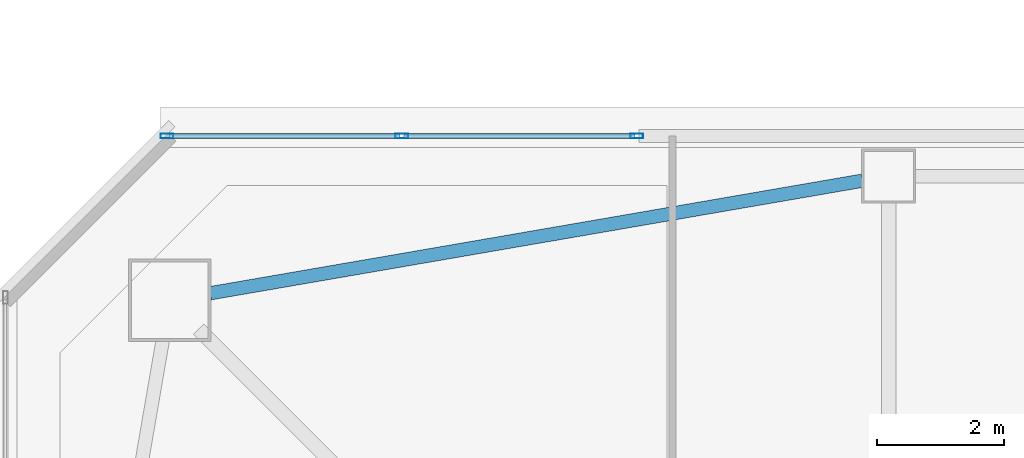
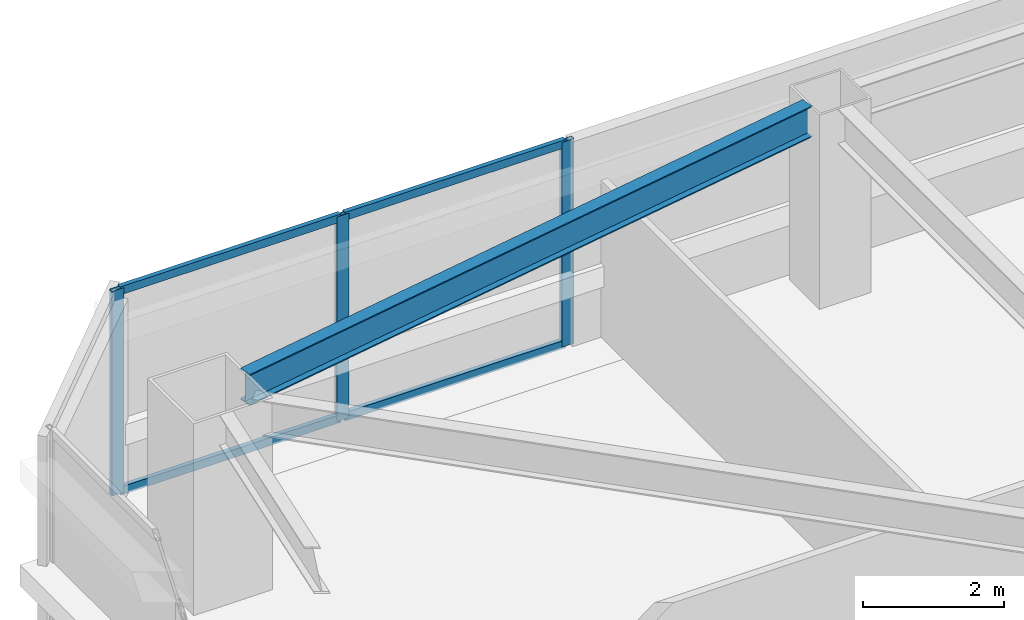
# One storey, part 14 of 48: 7 members, 1 beam, 1 element without a shape of its own.
"""IFC4 building model written with IfcOpenShell, lengths in metres."""

from ifc_helpers import new_model, si_unit, direction, frame, origin, origin_2d, place, context, subcontext, project, spatial, hollow_rectangle, i_section, extrude, material, material_profile, profile_set, type_object, element, aggregate, save


model = new_model("IFC4")

# Units and contexts
model_context = context("Model", 3, precision=1e-05, world=origin(), true_north=direction((0.0, 1.0)))
body_context = subcontext(model_context, "Body", "Model", "MODEL_VIEW")
ifc_project = project(units=[si_unit("LENGTHUNIT", "METRE"), si_unit("AREAUNIT", "SQUARE_METRE"), si_unit("VOLUMEUNIT", "CUBIC_METRE"), si_unit("PLANEANGLEUNIT", "RADIAN"), si_unit("MASSUNIT", "GRAM", prefix="KILO")], contexts=[model_context])

# Site, building, storey
site_placement = place(None, origin())
site = spatial("IfcSite", under=ifc_project, at=site_placement, CompositionType="ELEMENT")
building_placement = place(site_placement, origin())
building = spatial("IfcBuilding", under=site, at=building_placement, Name="Tashvorn Skyway Center", CompositionType="ELEMENT")
storey_placement = place(building_placement, frame((0.0, 0.0, 125.050048828125)))
storey = spatial("IfcBuildingStorey", under=building, at=storey_placement, Name="L33", CompositionType="ELEMENT", Elevation=125.050048828125)

# Beam
ifc_material_1 = material(Name="Steel ASTM A992 Grade 50", Category="steel")
ifc_material_profile_1 = material_profile(ifc_material_1, i_section(OverallWidth=0.2109375, OverallDepth=0.5390625, WebThickness=0.01171875, FlangeThickness=0.018798828125, at=origin_2d()), Name="W21X73")
ifc_profile_set_1 = profile_set([ifc_material_profile_1], Name="Steel ASTM A992 Grade 50")
beam_type = type_object("IfcBeamType", Name="BM-SPANDREL-W21X73", PredefinedType="SPANDREL", material=ifc_profile_set_1)
beam_placement = place(storey_placement, frame((36.18603515625, 50.57861328125, 3.100341796875), z_axis=(-0.985432458462, -0.170067250846, 0.0), x_axis=(0.170067250846, -0.985432458462, 0.0)))
element("IfcBeam", 1, at=beam_placement, inside=storey, type_object=beam_type, Name="Tower 1 L33 Spandrel Beam 09", PredefinedType="SPANDREL", context=body_context, shape_type="SweptSolid", body=[
    extrude(i_section(OverallWidth=0.2109375, OverallDepth=0.5390625, WebThickness=0.01171875, FlangeThickness=0.018798828125, at=origin_2d()), origin(), (0.0, 0.0, 1.0), 10.402099609375),
])

# Curtain wall, members
ifc_material_2 = material(Name="Thermally broken bronze-anodized aluminium 6063-T6", Category="aluminium")
curtain_wall_type = type_object("IfcCurtainWallType", Name="CW-CW-Z3", PredefinedType="NOTDEFINED", material=ifc_material_2)
curtain_wall_placement = place(storey_placement, origin())
curtain_wall = element("IfcCurtainWall", 2, at=curtain_wall_placement, inside=storey, type_object=curtain_wall_type, Name="Tower 1 L33 North Unitised Curtain Wall Glazing Group 1", PredefinedType="NOTDEFINED")
ifc_material_profile_2 = material_profile(ifc_material_2, hollow_rectangle(XDim=0.074951171875, YDim=0.199951171875, WallThickness=0.00439453125, at=origin_2d()), Name="ALU-MULL-75x200")
ifc_profile_set_2 = profile_set([ifc_material_profile_2], Name="Thermally broken bronze-anodized aluminium 6063-T6")
member_type_1 = type_object("IfcMemberType", Name="CWM-CW-Z3", PredefinedType="MULLION", material=ifc_profile_set_2)
member_1_placement = place(storey_placement, frame((25.257568359375, 51.280029296875, 0.0), z_axis=(0.0, 0.0, 1.0), x_axis=(0.0, 1.0, 0.0)))
member_1 = element("IfcMember", 3, at=member_1_placement, type_object=member_type_1, Name="CW-Z3 mullion 1", PredefinedType="MULLION", context=body_context, shape_type="SweptSolid", body=[
    extrude(hollow_rectangle(XDim=0.074951171875, YDim=0.199951171875, WallThickness=0.00439453125, at=origin_2d()), origin(), (0.0, 0.0, 1.0), 3.550048828125),
])
member_2_placement = place(storey_placement, frame((28.948974609375, 51.280029296875, 0.0), z_axis=(0.0, 0.0, 1.0), x_axis=(0.0, 1.0, 0.0)))
member_2 = element("IfcMember", 4, at=member_2_placement, type_object=member_type_1, Name="CW-Z3 mullion 2", PredefinedType="MULLION", context=body_context, shape_type="SweptSolid", body=[
    extrude(hollow_rectangle(XDim=0.074951171875, YDim=0.199951171875, WallThickness=0.00439453125, at=origin_2d()), origin(), (0.0, 0.0, 1.0), 3.550048828125),
])
member_3_placement = place(storey_placement, frame((32.640380859375, 51.280029296875, 0.0), z_axis=(0.0, 0.0, 1.0), x_axis=(0.0, 1.0, 0.0)))
member_3 = element("IfcMember", 5, at=member_3_placement, type_object=member_type_1, Name="CW-Z3 mullion 3", PredefinedType="MULLION", context=body_context, shape_type="SweptSolid", body=[
    extrude(hollow_rectangle(XDim=0.074951171875, YDim=0.199951171875, WallThickness=0.00439453125, at=origin_2d()), origin(), (0.0, 0.0, 1.0), 3.550048828125),
])
ifc_material_profile_3 = material_profile(ifc_material_2, hollow_rectangle(XDim=0.074951171875, YDim=0.139892578125, WallThickness=0.004150390625, at=origin_2d()), Name="ALU-TRAN-75x140")
ifc_profile_set_3 = profile_set([ifc_material_profile_3], Name="Thermally broken bronze-anodized aluminium 6063-T6")
member_type_2 = type_object("IfcMemberType", Name="CWT-CW-Z3", PredefinedType="USERDEFINED", material=ifc_profile_set_3)
member_4_placement = place(storey_placement, frame((25.294921875, 51.280029296875, 0.037353515625), z_axis=(1.0, 0.0, 0.0), x_axis=(0.0, 1.0, 0.0)))
member_4 = element("IfcMember", 6, at=member_4_placement, type_object=member_type_2, Name="CW-Z3 transom 1.1", ObjectType="TRANSOM", PredefinedType="USERDEFINED", context=body_context, shape_type="SweptSolid", body=[
    extrude(hollow_rectangle(XDim=0.074951171875, YDim=0.139892578125, WallThickness=0.004150390625, at=origin_2d()), origin(), (0.0, 0.0, 1.0), 3.616455078125),
])
member_5_placement = place(storey_placement, frame((25.294921875, 51.280029296875, 3.512451171875), z_axis=(1.0, 0.0, 0.0), x_axis=(0.0, 1.0, 0.0)))
member_5 = element("IfcMember", 7, at=member_5_placement, type_object=member_type_2, Name="CW-Z3 transom 1.2", ObjectType="TRANSOM", PredefinedType="USERDEFINED", context=body_context, shape_type="SweptSolid", body=[
    extrude(hollow_rectangle(XDim=0.074951171875, YDim=0.139892578125, WallThickness=0.004150390625, at=origin_2d()), origin(), (0.0, 0.0, 1.0), 3.616455078125),
])
member_6_placement = place(storey_placement, frame((28.986328125, 51.280029296875, 0.037353515625), z_axis=(1.0, 0.0, 0.0), x_axis=(0.0, 1.0, 0.0)))
member_6 = element("IfcMember", 8, at=member_6_placement, type_object=member_type_2, Name="CW-Z3 transom 2.1", ObjectType="TRANSOM", PredefinedType="USERDEFINED", context=body_context, shape_type="SweptSolid", body=[
    extrude(hollow_rectangle(XDim=0.074951171875, YDim=0.139892578125, WallThickness=0.004150390625, at=origin_2d()), origin(), (0.0, 0.0, 1.0), 3.616455078125),
])
member_7_placement = place(storey_placement, frame((28.986328125, 51.280029296875, 3.512451171875), z_axis=(1.0, 0.0, 0.0), x_axis=(0.0, 1.0, 0.0)))
member_7 = element("IfcMember", 9, at=member_7_placement, type_object=member_type_2, Name="CW-Z3 transom 2.2", ObjectType="TRANSOM", PredefinedType="USERDEFINED", context=body_context, shape_type="SweptSolid", body=[
    extrude(hollow_rectangle(XDim=0.074951171875, YDim=0.139892578125, WallThickness=0.004150390625, at=origin_2d()), origin(), (0.0, 0.0, 1.0), 3.616455078125),
])
aggregate(curtain_wall, [member_1, member_2, member_3, member_4, member_5, member_6, member_7])

save(model, "model.ifc")
